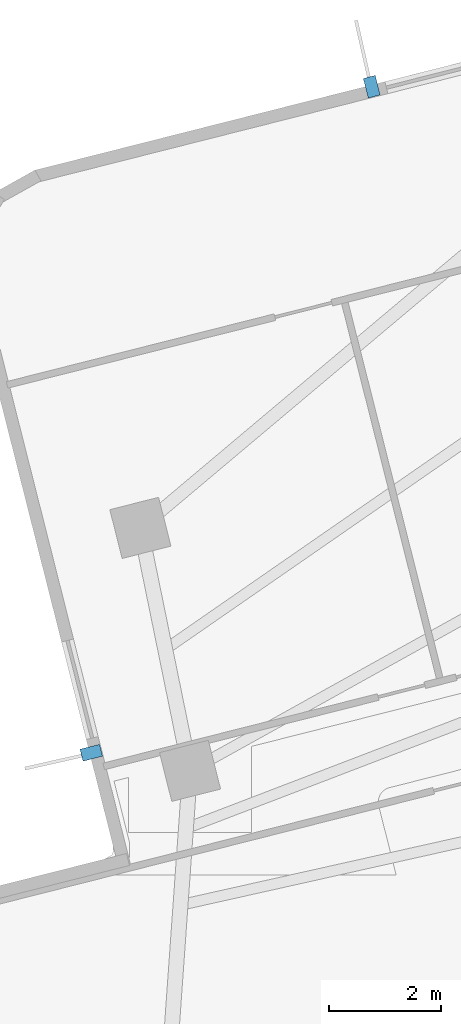
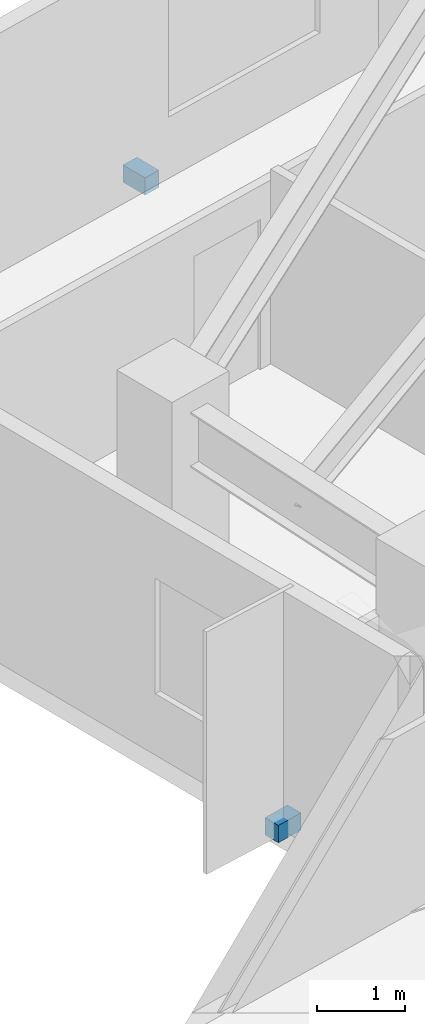
# One storey, part 6 of 9: 2 discrete accessories.
"""IFC4 building model written with IfcOpenShell, lengths in metres."""

from ifc_helpers import new_model, si_unit, direction, frame, origin, origin_2d, place, context, subcontext, project, spatial, rectangle, extrude, material, type_object, element, save


model = new_model("IFC4")

# Units and contexts
model_context = context("Model", 3, precision=1e-05, world=origin(), true_north=direction((0.0, 1.0)))
body_context = subcontext(model_context, "Body", "Model", "MODEL_VIEW")
ifc_project = project(units=[si_unit("LENGTHUNIT", "METRE"), si_unit("AREAUNIT", "SQUARE_METRE"), si_unit("VOLUMEUNIT", "CUBIC_METRE"), si_unit("PLANEANGLEUNIT", "RADIAN"), si_unit("MASSUNIT", "GRAM", prefix="KILO")], contexts=[model_context])

# Site, building, storey
site_placement = place(None, origin())
site = spatial("IfcSite", under=ifc_project, at=site_placement, CompositionType="ELEMENT")
building_placement = place(site_placement, origin())
building = spatial("IfcBuilding", under=site, at=building_placement, Name="Solmarez Civic Tower", CompositionType="ELEMENT")
storey_placement = place(building_placement, frame((0.0, 0.0, 130.679931640625)))
storey = spatial("IfcBuildingStorey", under=building, at=storey_placement, Name="L34", CompositionType="ELEMENT", Elevation=130.679931640625)

# Discrete accessories
ifc_material = material(Name="Stainless Steel Grade 1.4401", Category="steel")
discrete_accessory_type = type_object("IfcDiscreteAccessoryType", Name="BRACKET-SS-FIN", PredefinedType="BRACKET", material=ifc_material)
for number, where, z_axis, x_axis, name in (
    (1, (-10.2109375, 14.386962890625, -0.06005859375), (0.0, 0.0, 1.0), (-0.969443274604, -0.245315587203, 0.0), "L34 Stainless Fin Support Bracket FIN-L34-03"),
    (2, (-5.195068359375, 26.299072265625, -0.06005859375), (0.0, 0.0, 1.0), (-0.245226250511, 0.969465876687, 0.0), "L34 Stainless Fin Support Bracket FIN-L34-04"),
):
    element("IfcDiscreteAccessory", number, at=place(storey_placement, frame(where, z_axis=z_axis, x_axis=x_axis)), inside=storey, type_object=discrete_accessory_type, Name=name, PredefinedType="BRACKET", context=body_context, shape_type="SweptSolid", body=[
        extrude(rectangle(XDim=0.360107421875, YDim=0.219970703125, at=origin_2d()), origin(), (0.0, 0.0, 1.0), 0.239990234375),
    ])

save(model, "model.ifc")
